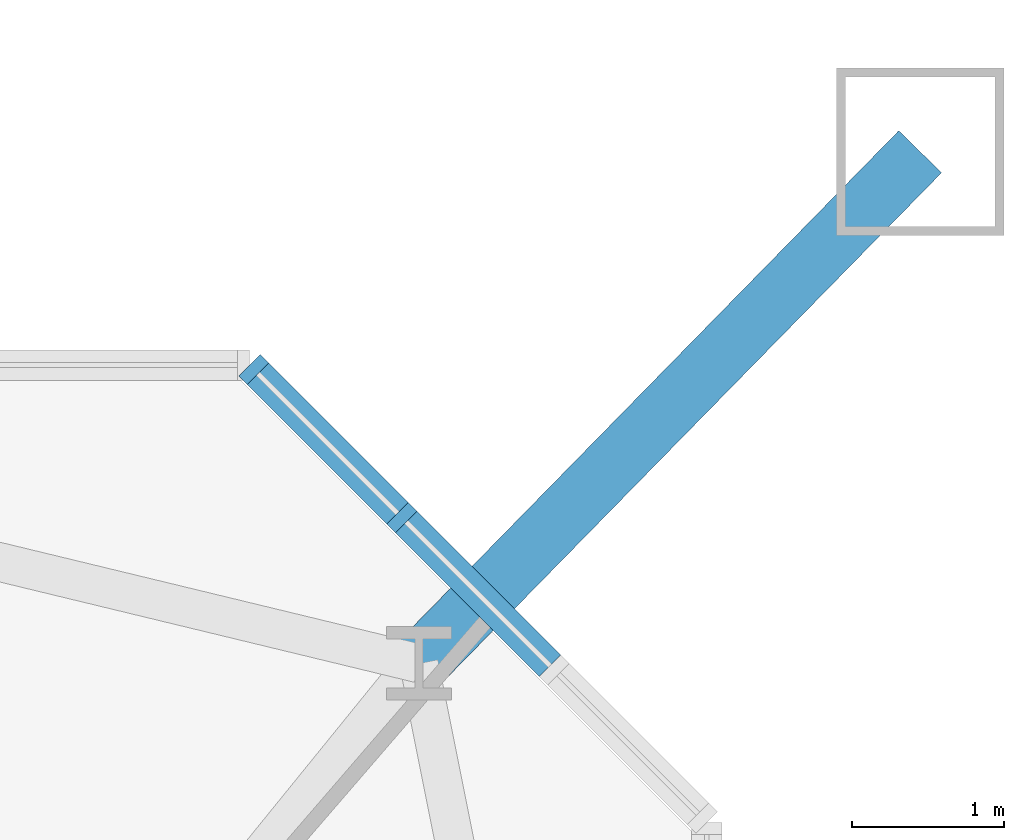
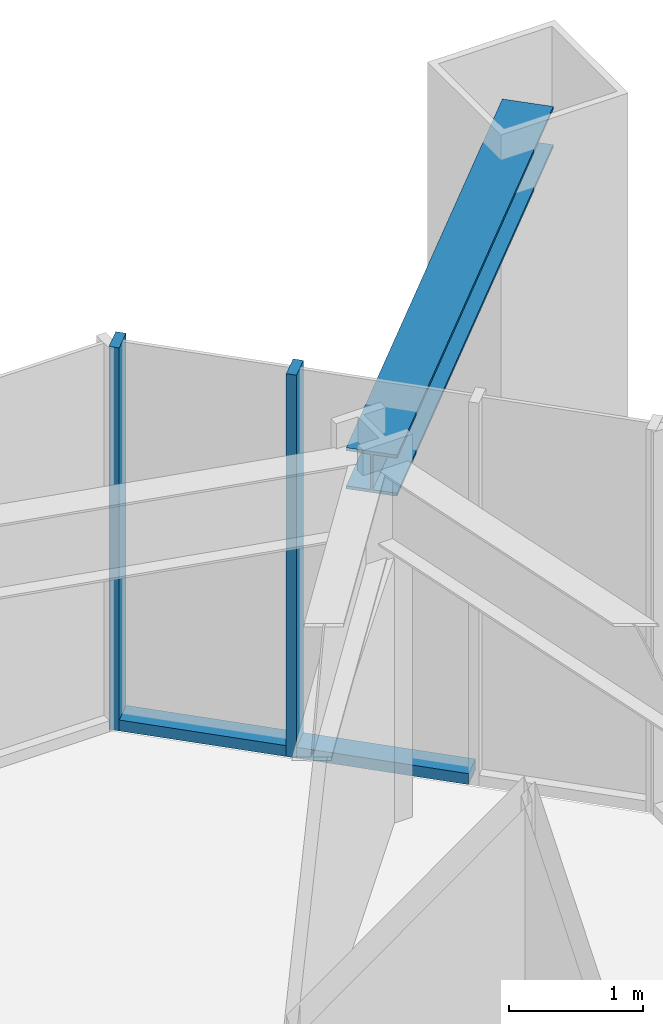
# One storey, part 10 of 25: 5 members, 1 element without a shape of its own.
"""IFC4 building model written with IfcOpenShell, lengths in metres."""

from ifc_helpers import new_model, si_unit, direction, frame, origin, origin_2d, place, context, subcontext, project, spatial, rectangle, i_section, extrude, material, material_profile, profile_set, type_object, element, aggregate, save


model = new_model("IFC4")

# Units and contexts
model_context = context("Model", 3, precision=1e-05, world=origin(), true_north=direction((0.0, 1.0)))
body_context = subcontext(model_context, "Body", "Model", "MODEL_VIEW")
ifc_project = project(units=[si_unit("LENGTHUNIT", "METRE"), si_unit("AREAUNIT", "SQUARE_METRE"), si_unit("VOLUMEUNIT", "CUBIC_METRE"), si_unit("PLANEANGLEUNIT", "RADIAN"), si_unit("MASSUNIT", "GRAM", prefix="KILO")], contexts=[model_context])

# Site, building, storey
site_placement = place(None, origin())
site = spatial("IfcSite", under=ifc_project, at=site_placement, CompositionType="ELEMENT")
building_placement = place(site_placement, origin())
building = spatial("IfcBuilding", under=site, at=building_placement, Name="Iwan Alto Co-Living Towers", CompositionType="ELEMENT")
storey_placement = place(building_placement, frame((0.0, 0.0, 101.5)))
storey = spatial("IfcBuildingStorey", under=building, at=storey_placement, Name="L27", CompositionType="ELEMENT", Elevation=101.5)

# Curtain wall, members
ifc_material_1 = material(Name="Bronze aluminium unitised frame", Category="aluminium")
curtain_wall_type = type_object("IfcCurtainWallType", Name="CURTAIN WALL CW-D", PredefinedType="NOTDEFINED", material=ifc_material_1)
curtain_wall_placement = place(storey_placement, origin())
curtain_wall = element("IfcCurtainWall", 1, at=curtain_wall_placement, inside=storey, type_object=curtain_wall_type, Name="T2 chamfer curtain wall NE L27", PredefinedType="NOTDEFINED")
ifc_material_2 = material(Name="Aluminium 6063-T6 bronze anodised", Category="aluminium")
ifc_material_profile_1 = material_profile(ifc_material_2, rectangle(XDim=0.199951171875, YDim=0.080078125, at=origin_2d()), Name="AL 80X200")
ifc_profile_set_1 = profile_set([ifc_material_profile_1], Name="Aluminium 6063-T6 bronze anodised")
member_type_1 = type_object("IfcMemberType", Name="CW-D MULLION 80X200", PredefinedType="MULLION", material=ifc_profile_set_1)
member_1_placement = place(storey_placement, frame((75.25, 15.5, 0.0), z_axis=(0.0, 0.0, 1.0), x_axis=(-0.707106781187, -0.707106781187, 0.0)))
member_1 = element("IfcMember", 2, at=member_1_placement, type_object=member_type_1, Name="CW-D mullion 3", PredefinedType="MULLION", context=body_context, shape_type="SweptSolid", body=[
    extrude(rectangle(XDim=0.199951171875, YDim=0.080078125, at=origin_2d()), origin(), (0.0, 0.0, 1.0), 3.5),
])
member_2_placement = place(storey_placement, frame((74.2783203125, 16.4716796875, 0.0), z_axis=(0.0, 0.0, 1.0), x_axis=(-0.707106781187, -0.707106781187, 0.0)))
member_2 = element("IfcMember", 3, at=member_2_placement, type_object=member_type_1, Name="CW-D mullion 4", PredefinedType="MULLION", context=body_context, shape_type="SweptSolid", body=[
    extrude(rectangle(XDim=0.199951171875, YDim=0.080078125, at=origin_2d()), origin(), (0.0, 0.0, 1.0), 3.5),
])
ifc_material_3 = material(Name="Aluminium 6063-T6 bronze anodised", Category="aluminium")
ifc_material_profile_2 = material_profile(ifc_material_3, rectangle(XDim=0.199951171875, YDim=0.10009765625, at=origin_2d()), Name="AL 200X100")
ifc_profile_set_2 = profile_set([ifc_material_profile_2], Name="Aluminium 6063-T6 bronze anodised")
member_type_2 = type_object("IfcMemberType", Name="CW-D TRANSOM 200X100", PredefinedType="USERDEFINED", material=ifc_profile_set_2)
member_3_placement = place(storey_placement, frame((76.2216796875, 14.5283203125, 0.050048828125), z_axis=(-0.707106781187, 0.707106781187, 0.0), x_axis=(-0.707106781187, -0.707106781187, 0.0)))
member_3 = element("IfcMember", 4, at=member_3_placement, type_object=member_type_2, Name="CW-D transom 2.1", ObjectType="TRANSOM", PredefinedType="USERDEFINED", context=body_context, shape_type="SweptSolid", body=[
    extrude(rectangle(XDim=0.199951171875, YDim=0.10009765625, at=origin_2d()), origin(), (0.0, 0.0, 1.0), 1.334228515625),
])
member_4_placement = place(storey_placement, frame((75.2216796875, 15.5283203125, 0.050048828125), z_axis=(-0.707106781187, 0.707106781187, 0.0), x_axis=(-0.707106781187, -0.707106781187, 0.0)))
member_4 = element("IfcMember", 5, at=member_4_placement, type_object=member_type_2, Name="CW-D transom 3.1", ObjectType="TRANSOM", PredefinedType="USERDEFINED", context=body_context, shape_type="SweptSolid", body=[
    extrude(rectangle(XDim=0.199951171875, YDim=0.10009765625, at=origin_2d()), origin(), (0.0, 0.0, 1.0), 1.2939453125),
])
aggregate(curtain_wall, [member_1, member_2, member_3, member_4])

# Member
ifc_material_4 = material(Name="Steel ASTM A992 Gr 50", Category="steel")
ifc_material_profile_3 = material_profile(ifc_material_4, i_section(OverallWidth=0.393798828125, OverallDepth=0.3759765625, WebThickness=0.017333984375, FlangeThickness=0.027587890625, at=origin_2d()), Name="W14X145")
ifc_profile_set_3 = profile_set([ifc_material_profile_3], Name="Steel ASTM A992 Gr 50")
member_type_3 = type_object("IfcMemberType", Name="T2 MEGA COLUMN FLOOR TIE W14X145", PredefinedType="STRUT", material=ifc_profile_set_3)
member_5_placement = place(storey_placement, frame((78.64990234375, 17.89990234375, 3.08203125), z_axis=(-0.699770096147, -0.714368121166, 0.0), x_axis=(0.714368121166, -0.699770096147, 0.0)))
element("IfcMember", 6, at=member_5_placement, inside=storey, type_object=member_type_3, Name="T2 mega column floor tie NE L28", PredefinedType="STRUT", context=body_context, shape_type="SweptSolid", body=[
    extrude(i_section(OverallWidth=0.393798828125, OverallDepth=0.3759765625, WebThickness=0.017333984375, FlangeThickness=0.027587890625, at=origin_2d()), origin(), (0.0, 0.0, 1.0), 4.699462890625),
])

save(model, "model.ifc")
